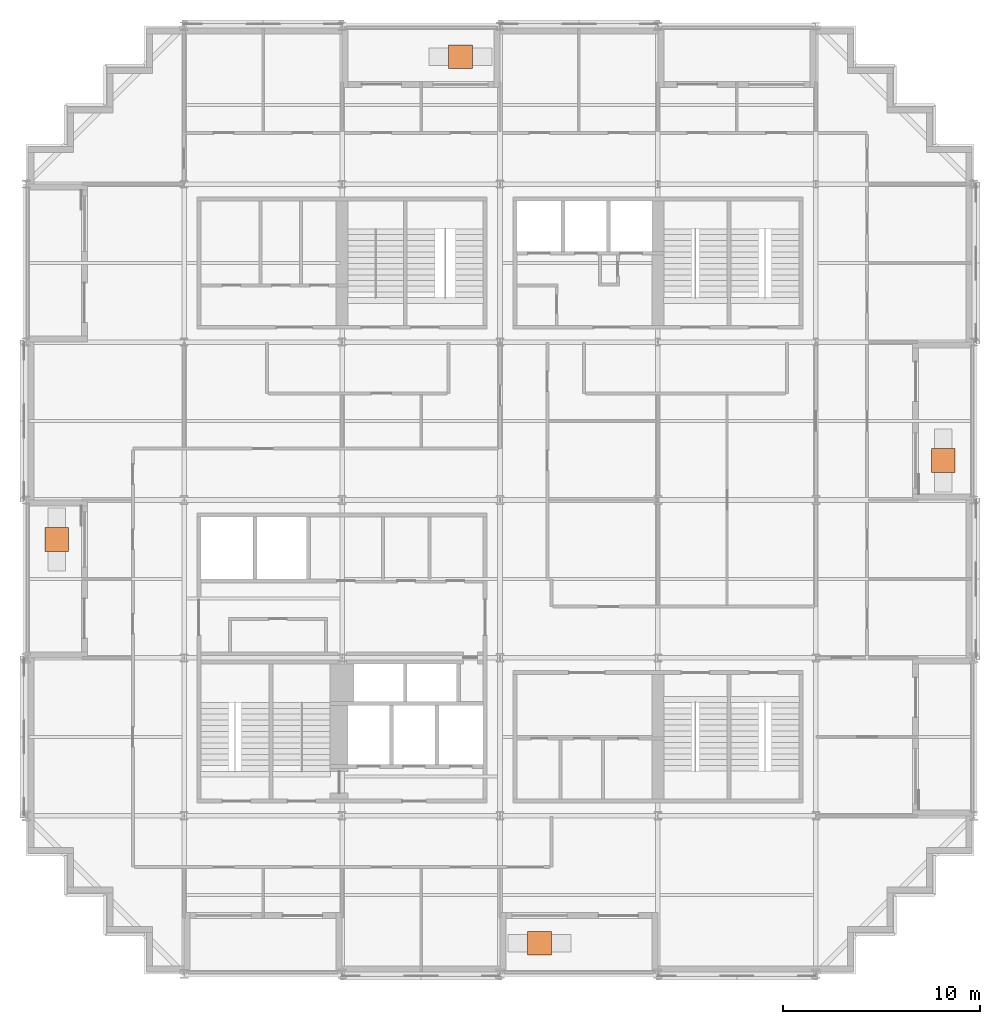
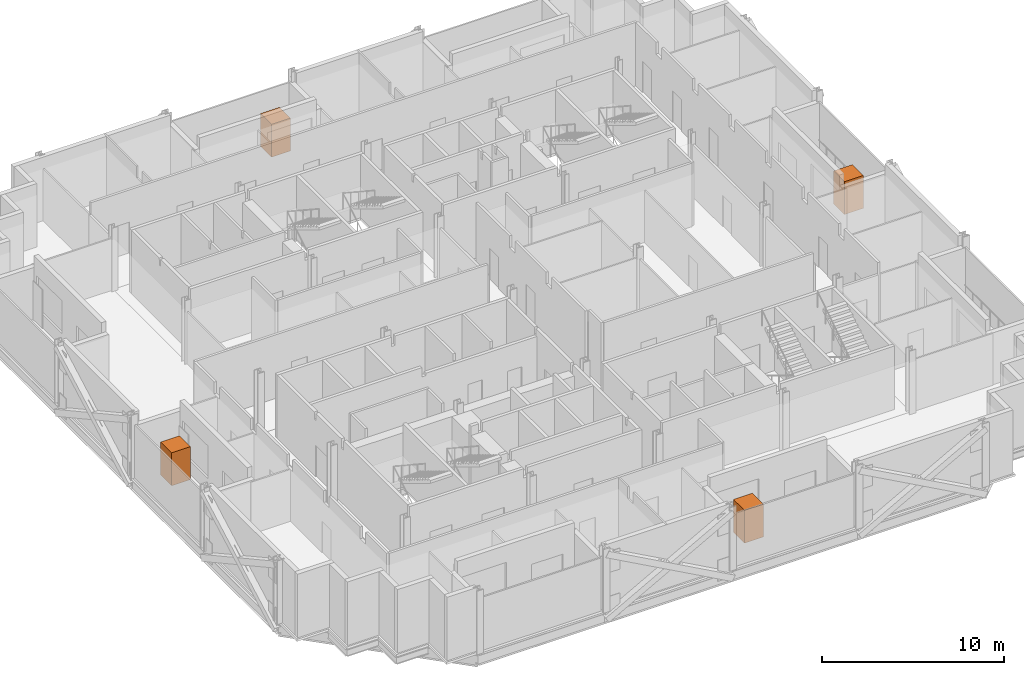
# One storey, part 15 of 15: 4 geographic elements.
"""IFC4 building model written with IfcOpenShell, lengths in metres."""

from ifc_helpers import new_model, si_unit, direction, frame, origin, origin_2d, place, context, subcontext, project, spatial, rectangle, extrude, material, type_object, element, save


model = new_model("IFC4")

# Units and contexts
model_context = context("Model", 3, precision=1e-05, world=origin(), true_north=direction((0.0, 1.0)))
body_context = subcontext(model_context, "Body", "Model", "MODEL_VIEW")
ifc_project = project(units=[si_unit("LENGTHUNIT", "METRE"), si_unit("AREAUNIT", "SQUARE_METRE"), si_unit("VOLUMEUNIT", "CUBIC_METRE"), si_unit("PLANEANGLEUNIT", "RADIAN"), si_unit("MASSUNIT", "GRAM", prefix="KILO")], contexts=[model_context])

# Site, building, storey
site_placement = place(None, origin())
site = spatial("IfcSite", under=ifc_project, at=site_placement, CompositionType="ELEMENT")
building_placement = place(site_placement, origin())
building = spatial("IfcBuilding", under=site, at=building_placement, Name="Immortelle Media Tower", CompositionType="ELEMENT")
storey_placement = place(building_placement, frame((0.0, 0.0, 105.199951171875)))
storey = spatial("IfcBuildingStorey", under=building, at=storey_placement, Name="L20", CompositionType="ELEMENT", Elevation=105.199951171875)

# Geographic elements
ifc_material = material(Name="Tree canopy foliage")
geographic_element_type = type_object("IfcGeographicElementType", Name="Tree", PredefinedType="USERDEFINED", material=ifc_material)
for number, where, z_axis, x_axis, name in (
    (1, (1.550048828125, 22.0, 0.60009765625), (0.0, 0.0, 1.0), (1.0, 0.0, 0.0), "Tree L20 W2"),
    (2, (26.0, 1.550048828125, 0.60009765625), (0.0, 0.0, 1.0), (1.0, 0.0, 0.0), "Tree L20 S2"),
    (3, (46.449951171875, 26.0, 0.60009765625), (0.0, 0.0, 1.0), (1.0, 0.0, 0.0), "Tree L20 E2"),
    (4, (22.0, 46.449951171875, 0.60009765625), (0.0, 0.0, 1.0), (1.0, 0.0, 0.0), "Tree L20 N2"),
):
    element("IfcGeographicElement", number, at=place(storey_placement, frame(where, z_axis=z_axis, x_axis=x_axis)), inside=storey, type_object=geographic_element_type, Name=name, ObjectType="Tree", PredefinedType="USERDEFINED", context=body_context, shape_type="SweptSolid", body=[
        extrude(rectangle(XDim=1.199951171875, YDim=1.199951171875, at=origin_2d()), origin(), (0.0, 0.0, 1.0), 2.199951171875),
    ])

save(model, "model.ifc")
